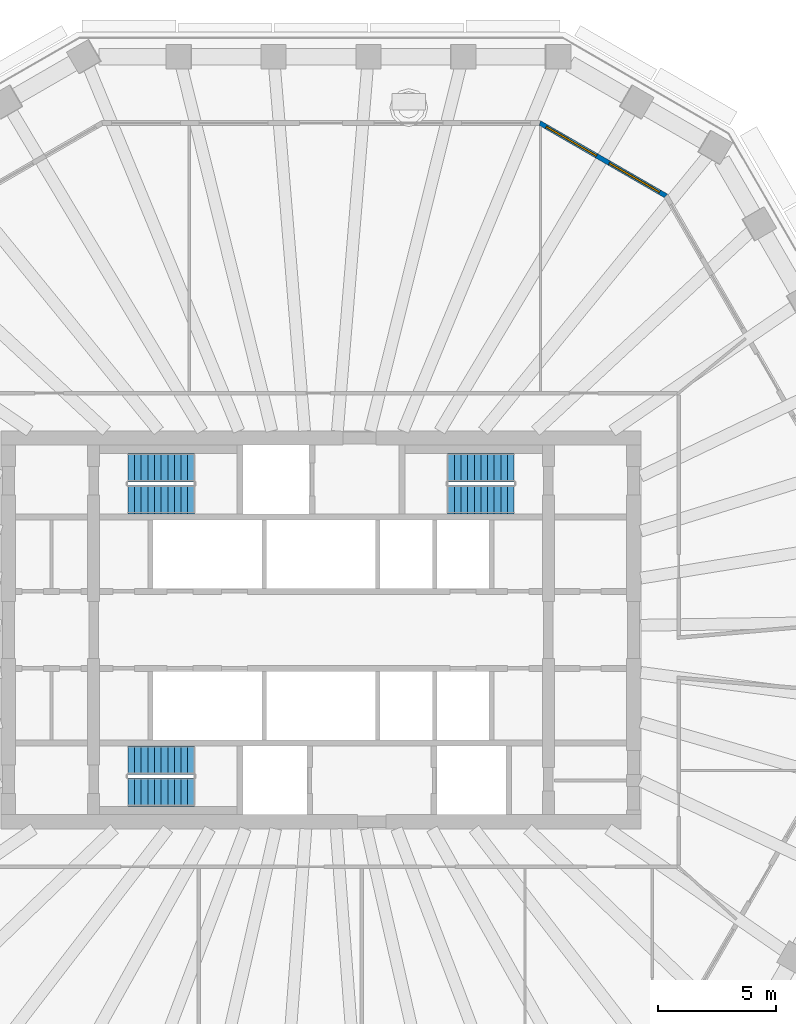
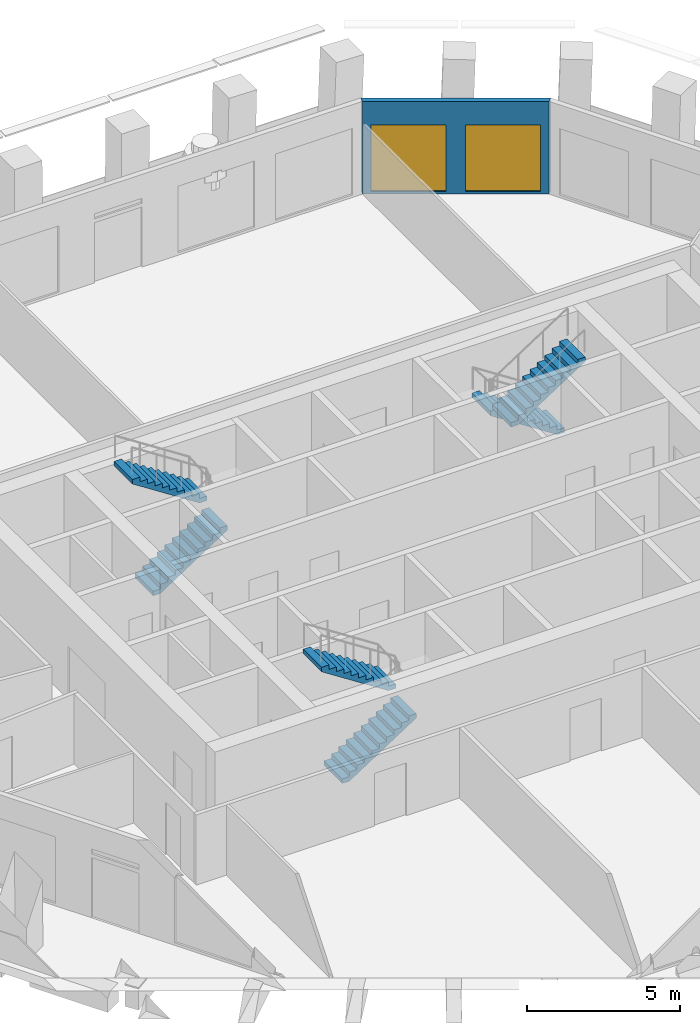
# One storey, part 8 of 12: 6 stair flights, 2 windows, 1 wall, 2 openings, 3 elements without a shape of their own.
"""IFC4 building model written with IfcOpenShell, lengths in metres."""

from ifc_helpers import new_model, si_unit, direction, frame, frame_2d, origin, place, context, subcontext, project, spatial, polyline, rectangle, outline, extrude, material, layer, layer_set, type_object, element, fill, aggregate, save


model = new_model("IFC4")

# Units and contexts
model_context = context("Model", 3, precision=1e-05, world=origin(), true_north=direction((0.0, 1.0)))
body_context = subcontext(model_context, "Body", "Model", "MODEL_VIEW")
ifc_project = project(units=[si_unit("LENGTHUNIT", "METRE"), si_unit("AREAUNIT", "SQUARE_METRE"), si_unit("VOLUMEUNIT", "CUBIC_METRE"), si_unit("PLANEANGLEUNIT", "RADIAN"), si_unit("MASSUNIT", "GRAM", prefix="KILO")], contexts=[model_context])

# Site, building, storey
site_placement = place(None, origin())
site = spatial("IfcSite", under=ifc_project, at=site_placement, CompositionType="ELEMENT")
building_placement = place(site_placement, origin())
building = spatial("IfcBuilding", under=site, at=building_placement, Name="Frailejon Research Tower", CompositionType="ELEMENT")
storey_placement = place(building_placement, frame((0.0, 0.0, 223.39990234375)))
storey = spatial("IfcBuildingStorey", under=building, at=storey_placement, Name="L48", CompositionType="ELEMENT", Elevation=223.39990234375)

# Wall, openings, windows
ifc_material_1 = material(Name="Concrete C40/50 precast window wall panel", Category="concrete")
ifc_layer_1 = layer(ifc_material_1, 0.199951171875)
ifc_layer_set_1 = layer_set([ifc_layer_1], Name="Window wall 200")
wall_type = type_object("IfcWallType", Name="Window wall 200", PredefinedType="SOLIDWALL", material=ifc_layer_set_1)
wall_placement = place(storey_placement, frame((14.56689453125, 18.323486328125, 0.0), z_axis=(0.0, 0.0, 1.0), x_axis=(-0.866029647142, 0.499992650217, 0.0)))
wall = element("IfcWall", 1, at=wall_placement, inside=storey, type_object=wall_type, Name="Exterior wall L48", PredefinedType="SOLIDWALL", context=body_context, shape_type="SweptSolid", body=[
    extrude(outline(polyline([(-0.02685546875, -0.10009765625), (1.007568359375, -0.10009765625), (2.0419921875, -0.10009765625), (3.076416015625, -0.10009765625), (4.11083984375, -0.10009765625), (5.145263671875, -0.10009765625), (6.1796875, -0.10009765625), (6.1259765625, 0.10009765625), (5.109375, 0.10009765625), (4.093017578125, 0.10009765625), (3.076416015625, 0.10009765625), (2.059814453125, 0.10009765625), (1.04345703125, 0.10009765625), (0.02685546875, 0.10009765625), (-0.02685546875, -0.10009765625)])), origin(), (0.0, 0.0, 1.0), 3.7001953125),
])
opening_1_placement = place(wall_placement, frame((0.313232421875, 0.0, 0.10009765625)))
opening_1 = element("IfcOpeningElement", 2, at=opening_1_placement, cuts=wall, Name="Opening W17", PredefinedType="OPENING", context=body_context, shape_type="SweptSolid", body=[
    extrude(rectangle(XDim=2.449951171875, YDim=2.64990234375, at=frame_2d((1.22509765625, 1.324951171875))), frame((0.0, 0.10986328125, 0.0), z_axis=(0.0, -1.0, 0.0), x_axis=(1.0, 0.0, 0.0)), (0.0, 0.0, 1.0), 0.219970703125),
])
opening_2_placement = place(wall_placement, frame((3.3896484375, 0.0, 0.10009765625)))
opening_2 = element("IfcOpeningElement", 3, at=opening_2_placement, cuts=wall, Name="Opening W17", PredefinedType="OPENING", context=body_context, shape_type="SweptSolid", body=[
    extrude(rectangle(XDim=2.449951171875, YDim=2.64990234375, at=frame_2d((1.22509765625, 1.324951171875))), frame((0.0, 0.10986328125, 0.0), z_axis=(0.0, -1.0, 0.0), x_axis=(1.0, 0.0, 0.0)), (0.0, 0.0, 1.0), 0.219970703125),
])
ifc_material_2 = material(Name="Aluminium framed double glazing", Category="aluminium")
window_type = type_object("IfcWindowType", Name="Window 2450x2650", PartitioningType="SINGLE_PANEL", PredefinedType="WINDOW", material=ifc_material_2)
window_1_placement = place(opening_1_placement, origin())
window_1 = element("IfcWindow", 4, at=window_1_placement, inside=storey, type_object=window_type, Name="Window L48", OverallHeight=2.64990234375, OverallWidth=2.449951171875, PartitioningType="SINGLE_PANEL", PredefinedType="WINDOW", context=body_context, shape_type="SweptSolid", body=[
    extrude(rectangle(XDim=2.449951171875, YDim=2.64990234375, at=frame_2d((1.22509765625, 1.324951171875))), frame((0.0, 0.030029296875, 0.0), z_axis=(0.0, -1.0, 0.0), x_axis=(1.0, 0.0, 0.0)), (0.0, 0.0, 1.0), 0.06005859375),
])
fill(opening_1, window_1)
window_2_placement = place(opening_2_placement, origin())
window_2 = element("IfcWindow", 5, at=window_2_placement, inside=storey, type_object=window_type, Name="Window L48", OverallHeight=2.64990234375, OverallWidth=2.449951171875, PartitioningType="SINGLE_PANEL", PredefinedType="WINDOW", context=body_context, shape_type="SweptSolid", body=[
    extrude(rectangle(XDim=2.449951171875, YDim=2.64990234375, at=frame_2d((1.22509765625, 1.324951171875))), frame((0.0, 0.030029296875, 0.0), z_axis=(0.0, -1.0, 0.0), x_axis=(1.0, 0.0, 0.0)), (0.0, 0.0, 1.0), 0.06005859375),
])
fill(opening_2, window_2)

# Stair, stair flights
ifc_material_3 = material(Name="Concrete C50/60", Category="concrete")
stair_type = type_object("IfcStairType", Name="Exit stair 22 risers", PredefinedType="HALF_TURN_STAIR", material=ifc_material_3)
stair_1_placement = place(storey_placement, origin())
stair_1 = element("IfcStair", 6, at=stair_1_placement, inside=storey, type_object=stair_type, Name="L48 Exit stair ST1", PredefinedType="HALF_TURN_STAIR")
ifc_material_4 = material(Name="Concrete C50/60", Category="concrete")
ifc_layer_2 = layer(ifc_material_4, 0.14990234375)
ifc_layer_set_2 = layer_set([ifc_layer_2], Name="Stair flight 11 risers")
stair_flight_type = type_object("IfcStairFlightType", Name="Stair flight 11 risers", PredefinedType="STRAIGHT", material=ifc_layer_set_2)
stair_flight_1_placement = place(storey_placement, frame((-8.14990234375, 5.5, 0.0), z_axis=(0.0, 0.0, 1.0), x_axis=(1.0, 0.0, 0.0)))
stair_flight_1 = element("IfcStairFlight", 7, at=stair_flight_1_placement, type_object=stair_flight_type, Name="ST1 flight 1", NumberOfRisers=11, NumberOfTreads=10, PredefinedType="STRAIGHT", RiserHeight=0.181818182, TreadLength=0.28, context=body_context, shape_type="SweptSolid", body=[
    extrude(outline(polyline([(0.0, 0.0), (0.0, 0.181884765625), (0.280029296875, 0.181884765625), (0.280029296875, 0.363525390625), (0.56005859375, 0.363525390625), (0.56005859375, 0.54541015625), (0.840087890625, 0.54541015625), (0.840087890625, 0.727294921875), (1.1201171875, 0.727294921875), (1.1201171875, 0.9091796875), (1.39990234375, 0.9091796875), (1.39990234375, 1.0908203125), (1.679931640625, 1.0908203125), (1.679931640625, 1.272705078125), (1.9599609375, 1.272705078125), (1.9599609375, 1.45458984375), (2.239990234375, 1.45458984375), (2.239990234375, 1.636474609375), (2.52001953125, 1.636474609375), (2.52001953125, 1.818115234375), (2.800048828125, 1.818115234375), (2.800048828125, 2.0), (2.800048828125, 1.639404296875), (0.275146484375, 0.0), (0.0, 0.0)])), frame((0.0, 0.60009765625, 0.0), z_axis=(0.0, -1.0, 0.0), x_axis=(1.0, 0.0, 0.0)), (0.0, 0.0, 1.0), 1.199951171875),
])
stair_flight_2_placement = place(storey_placement, frame((-5.35009765625, 6.85009765625, 2.0), z_axis=(0.0, 0.0, 1.0), x_axis=(-1.0, 0.0, 0.0)))
stair_flight_2 = element("IfcStairFlight", 8, at=stair_flight_2_placement, type_object=stair_flight_type, Name="ST1 flight 2", NumberOfRisers=11, NumberOfTreads=10, PredefinedType="STRAIGHT", RiserHeight=0.181818182, TreadLength=0.28, context=body_context, shape_type="SweptSolid", body=[
    extrude(outline(polyline([(0.0, 0.0), (0.0, 0.181884765625), (0.280029296875, 0.181884765625), (0.280029296875, 0.363525390625), (0.56005859375, 0.363525390625), (0.56005859375, 0.54541015625), (0.840087890625, 0.54541015625), (0.840087890625, 0.727294921875), (1.1201171875, 0.727294921875), (1.1201171875, 0.9091796875), (1.39990234375, 0.9091796875), (1.39990234375, 1.0908203125), (1.679931640625, 1.0908203125), (1.679931640625, 1.272705078125), (1.9599609375, 1.272705078125), (1.9599609375, 1.45458984375), (2.239990234375, 1.45458984375), (2.239990234375, 1.636474609375), (2.52001953125, 1.636474609375), (2.52001953125, 1.818115234375), (2.800048828125, 1.818115234375), (2.800048828125, 2.0), (2.800048828125, 1.639404296875), (0.275146484375, 0.0), (0.0, 0.0)])), frame((0.0, 0.60009765625, 0.0), z_axis=(0.0, -1.0, 0.0), x_axis=(1.0, 0.0, 0.0)), (0.0, 0.0, 1.0), 1.199951171875),
])
aggregate(stair_1, [stair_flight_1, stair_flight_2])

stair_2_placement = place(storey_placement, origin())
stair_2 = element("IfcStair", 9, at=stair_2_placement, inside=storey, type_object=stair_type, Name="L48 Exit stair ST2", PredefinedType="HALF_TURN_STAIR")
stair_flight_3_placement = place(storey_placement, frame((-8.14990234375, -6.85009765625, 0.0), z_axis=(0.0, 0.0, 1.0), x_axis=(1.0, 0.0, 0.0)))
stair_flight_3 = element("IfcStairFlight", 10, at=stair_flight_3_placement, type_object=stair_flight_type, Name="ST2 flight 1", NumberOfRisers=11, NumberOfTreads=10, PredefinedType="STRAIGHT", RiserHeight=0.181818182, TreadLength=0.28, context=body_context, shape_type="SweptSolid", body=[
    extrude(outline(polyline([(0.0, 0.0), (0.0, 0.181884765625), (0.280029296875, 0.181884765625), (0.280029296875, 0.363525390625), (0.56005859375, 0.363525390625), (0.56005859375, 0.54541015625), (0.840087890625, 0.54541015625), (0.840087890625, 0.727294921875), (1.1201171875, 0.727294921875), (1.1201171875, 0.9091796875), (1.39990234375, 0.9091796875), (1.39990234375, 1.0908203125), (1.679931640625, 1.0908203125), (1.679931640625, 1.272705078125), (1.9599609375, 1.272705078125), (1.9599609375, 1.45458984375), (2.239990234375, 1.45458984375), (2.239990234375, 1.636474609375), (2.52001953125, 1.636474609375), (2.52001953125, 1.818115234375), (2.800048828125, 1.818115234375), (2.800048828125, 2.0), (2.800048828125, 1.639404296875), (0.275146484375, 0.0), (0.0, 0.0)])), frame((0.0, 0.60009765625, 0.0), z_axis=(0.0, -1.0, 0.0), x_axis=(1.0, 0.0, 0.0)), (0.0, 0.0, 1.0), 1.199951171875),
])
stair_flight_4_placement = place(storey_placement, frame((-5.35009765625, -5.5, 2.0), z_axis=(0.0, 0.0, 1.0), x_axis=(-1.0, 0.0, 0.0)))
stair_flight_4 = element("IfcStairFlight", 11, at=stair_flight_4_placement, type_object=stair_flight_type, Name="ST2 flight 2", NumberOfRisers=11, NumberOfTreads=10, PredefinedType="STRAIGHT", RiserHeight=0.181818182, TreadLength=0.28, context=body_context, shape_type="SweptSolid", body=[
    extrude(outline(polyline([(0.0, 0.0), (0.0, 0.181884765625), (0.280029296875, 0.181884765625), (0.280029296875, 0.363525390625), (0.56005859375, 0.363525390625), (0.56005859375, 0.54541015625), (0.840087890625, 0.54541015625), (0.840087890625, 0.727294921875), (1.1201171875, 0.727294921875), (1.1201171875, 0.9091796875), (1.39990234375, 0.9091796875), (1.39990234375, 1.0908203125), (1.679931640625, 1.0908203125), (1.679931640625, 1.272705078125), (1.9599609375, 1.272705078125), (1.9599609375, 1.45458984375), (2.239990234375, 1.45458984375), (2.239990234375, 1.636474609375), (2.52001953125, 1.636474609375), (2.52001953125, 1.818115234375), (2.800048828125, 1.818115234375), (2.800048828125, 2.0), (2.800048828125, 1.639404296875), (0.275146484375, 0.0), (0.0, 0.0)])), frame((0.0, 0.60009765625, 0.0), z_axis=(0.0, -1.0, 0.0), x_axis=(1.0, 0.0, 0.0)), (0.0, 0.0, 1.0), 1.199951171875),
])
aggregate(stair_2, [stair_flight_3, stair_flight_4])

stair_3_placement = place(storey_placement, origin())
stair_3 = element("IfcStair", 12, at=stair_3_placement, inside=storey, type_object=stair_type, Name="L48 Exit stair ST3", PredefinedType="HALF_TURN_STAIR")
stair_flight_5_placement = place(storey_placement, frame((8.14990234375, 6.85009765625, 0.0), z_axis=(0.0, 0.0, 1.0), x_axis=(-1.0, 0.0, 0.0)))
stair_flight_5 = element("IfcStairFlight", 13, at=stair_flight_5_placement, type_object=stair_flight_type, Name="ST3 flight 1", NumberOfRisers=11, NumberOfTreads=10, PredefinedType="STRAIGHT", RiserHeight=0.181818182, TreadLength=0.28, context=body_context, shape_type="SweptSolid", body=[
    extrude(outline(polyline([(0.0, 0.0), (0.0, 0.181884765625), (0.280029296875, 0.181884765625), (0.280029296875, 0.363525390625), (0.56005859375, 0.363525390625), (0.56005859375, 0.54541015625), (0.840087890625, 0.54541015625), (0.840087890625, 0.727294921875), (1.1201171875, 0.727294921875), (1.1201171875, 0.9091796875), (1.39990234375, 0.9091796875), (1.39990234375, 1.0908203125), (1.679931640625, 1.0908203125), (1.679931640625, 1.272705078125), (1.9599609375, 1.272705078125), (1.9599609375, 1.45458984375), (2.239990234375, 1.45458984375), (2.239990234375, 1.636474609375), (2.52001953125, 1.636474609375), (2.52001953125, 1.818115234375), (2.800048828125, 1.818115234375), (2.800048828125, 2.0), (2.800048828125, 1.639404296875), (0.275146484375, 0.0), (0.0, 0.0)])), frame((0.0, 0.60009765625, 0.0), z_axis=(0.0, -1.0, 0.0), x_axis=(1.0, 0.0, 0.0)), (0.0, 0.0, 1.0), 1.199951171875),
])
stair_flight_6_placement = place(storey_placement, frame((5.35009765625, 5.5, 2.0), z_axis=(0.0, 0.0, 1.0), x_axis=(1.0, 0.0, 0.0)))
stair_flight_6 = element("IfcStairFlight", 14, at=stair_flight_6_placement, type_object=stair_flight_type, Name="ST3 flight 2", NumberOfRisers=11, NumberOfTreads=10, PredefinedType="STRAIGHT", RiserHeight=0.181818182, TreadLength=0.28, context=body_context, shape_type="SweptSolid", body=[
    extrude(outline(polyline([(0.0, 0.0), (0.0, 0.181884765625), (0.280029296875, 0.181884765625), (0.280029296875, 0.363525390625), (0.56005859375, 0.363525390625), (0.56005859375, 0.54541015625), (0.840087890625, 0.54541015625), (0.840087890625, 0.727294921875), (1.1201171875, 0.727294921875), (1.1201171875, 0.9091796875), (1.39990234375, 0.9091796875), (1.39990234375, 1.0908203125), (1.679931640625, 1.0908203125), (1.679931640625, 1.272705078125), (1.9599609375, 1.272705078125), (1.9599609375, 1.45458984375), (2.239990234375, 1.45458984375), (2.239990234375, 1.636474609375), (2.52001953125, 1.636474609375), (2.52001953125, 1.818115234375), (2.800048828125, 1.818115234375), (2.800048828125, 2.0), (2.800048828125, 1.639404296875), (0.275146484375, 0.0), (0.0, 0.0)])), frame((0.0, 0.60009765625, 0.0), z_axis=(0.0, -1.0, 0.0), x_axis=(1.0, 0.0, 0.0)), (0.0, 0.0, 1.0), 1.199951171875),
])
aggregate(stair_3, [stair_flight_5, stair_flight_6])

save(model, "model.ifc")
